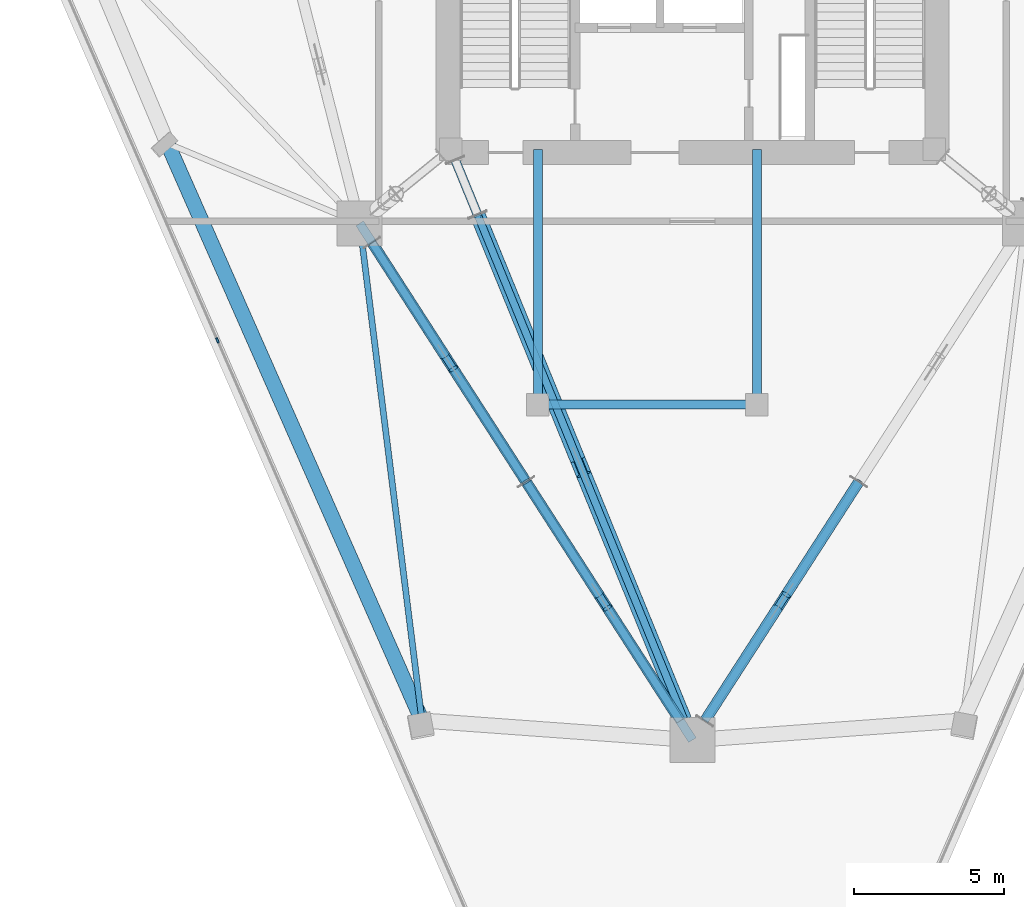
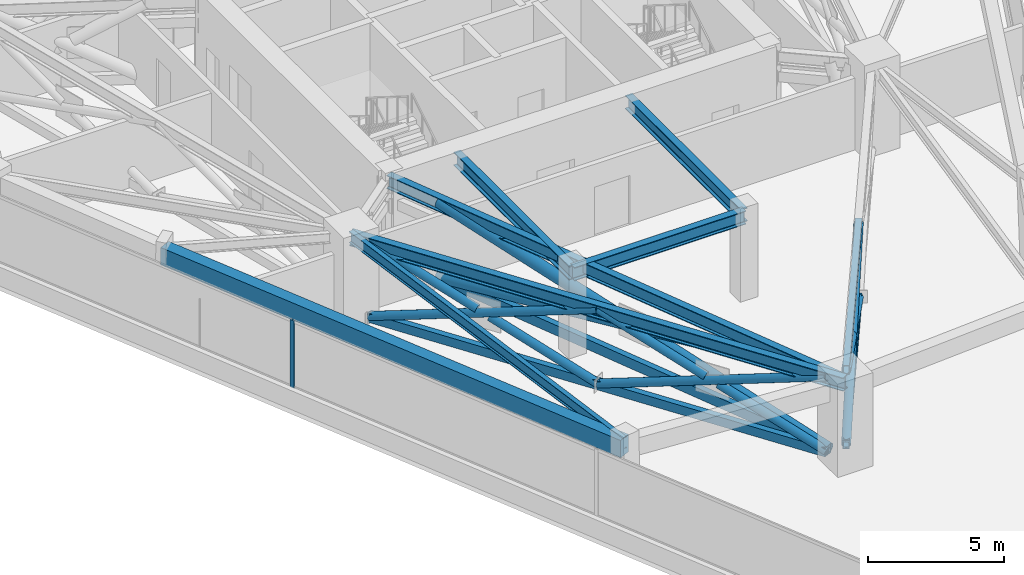
# One storey, part 3 of 13: 21 members, 7 beams, 1 element without a shape of its own.
"""IFC4 building model written with IfcOpenShell, lengths in metres."""

import ifcopenshell
import ifcopenshell.guid

model = None  # the IFC model being written
_history = None  # IfcOwnerHistory: only IFC2X3 demands one
_inside = {}  # id of a spatial element -> (the spatial element, [elements in it])
_under = {}  # id of a project, library or spatial element -> (it, [spatial elements below it])
_declared = {}  # id of a project -> (the project, [libraries it declares])
_typed = {}  # id of a type object -> (the type object, [elements of that type])
_made_of = {}  # id of a material, layer set ... -> (it, [elements and type objects made of it])


def new_model(schema):
    """Start an empty IFC model of exactly this schema.

    Asked for "IFC4X3", IfcOpenShell would pick the latest addendum, in which some entities
    have other attributes; the version numbers below select the first issue.
    IFC2X3 requires an IfcOwnerHistory on every rooted entity: one is made here for all.
    """
    global model, _history
    if schema == "IFC4X3":
        model = ifcopenshell.file(schema_version=(4, 3, 0, 0))
    else:
        model = ifcopenshell.file(schema=schema)
    _inside.clear()
    _under.clear()
    _declared.clear()
    _typed.clear()
    _made_of.clear()
    _history = None
    if model.schema == "IFC2X3":
        org = make("IfcOrganization", Name="unknown")
        user = make(
            "IfcPersonAndOrganization",
            ThePerson=make("IfcPerson", FamilyName="unknown"),
            TheOrganization=org,
        )
        app = make(
            "IfcApplication",
            ApplicationDeveloper=org,
            Version="unknown",
            ApplicationFullName="unknown",
            ApplicationIdentifier="unknown",
        )
        _history = make(
            "IfcOwnerHistory",
            OwningUser=user,
            OwningApplication=app,
            ChangeAction="ADDED",
            CreationDate=0,
        )
    return model


def make(cls, **values):
    """One entity of the class cls with the attributes given. An attribute that is None is left unset."""
    return model.create_entity(
        cls, **{name: value for name, value in values.items() if value is not None}
    )


def rooted(cls, **values):
    """An entity with a GlobalId (a new one), such as an element, a storey or a relation."""
    return make(cls, GlobalId=ifcopenshell.guid.new(), OwnerHistory=_history, **values)


def si_unit(unit_type, name, prefix=None):
    """IfcSIUnit, for example si_unit("LENGTHUNIT", "METRE", prefix="MILLI")."""
    return make("IfcSIUnit", UnitType=unit_type, Prefix=prefix, Name=name)


def assignment(units):
    """IfcUnitAssignment: the units of a project."""
    return None if units is None else make("IfcUnitAssignment", Units=units)


def point(xyz):
    """IfcCartesianPoint."""
    return None if xyz is None else make("IfcCartesianPoint", Coordinates=xyz)


def direction(xyz):
    """IfcDirection."""
    return None if xyz is None else make("IfcDirection", DirectionRatios=xyz)


def frame(location, z_axis=None, x_axis=None):
    """IfcAxis2Placement3D, a coordinate frame: its origin and axes. An axis left out is left unset."""
    return make(
        "IfcAxis2Placement3D",
        Location=point(location),
        Axis=direction(z_axis),
        RefDirection=direction(x_axis),
    )


def frame_2d(location, x_axis=None):
    """IfcAxis2Placement2D, a coordinate frame in the plane: its origin and x axis."""
    return make(
        "IfcAxis2Placement2D", Location=point(location), RefDirection=direction(x_axis)
    )


def origin():
    """The frame at (0, 0, 0) with its axes left unset."""
    return frame((0.0, 0.0, 0.0))


def origin_2d():
    """The frame at (0, 0) in the plane with its x axis left unset."""
    return frame_2d((0.0, 0.0))


def place(relative_to, where):
    """IfcLocalPlacement: puts the frame where relative to a parent placement (None: the world)."""
    return make(
        "IfcLocalPlacement", PlacementRelTo=relative_to, RelativePlacement=where
    )


def context(
    kind, dimensions, precision=None, world=None, true_north=None, identifier=None
):
    """IfcGeometricRepresentationContext, for example the 3D "Model" context."""
    return make(
        "IfcGeometricRepresentationContext",
        ContextIdentifier=identifier,
        ContextType=kind,
        CoordinateSpaceDimension=dimensions,
        Precision=precision,
        WorldCoordinateSystem=world,
        TrueNorth=true_north,
    )


def subcontext(parent, identifier, kind, view, scale=None):
    """IfcGeometricRepresentationSubContext, for example "Body" below "Model"."""
    return make(
        "IfcGeometricRepresentationSubContext",
        ContextIdentifier=identifier,
        ContextType=kind,
        ParentContext=parent,
        TargetScale=scale,
        TargetView=view,
    )


def project(units=None, contexts=None):
    """IfcProject with its units and contexts."""
    return rooted(
        "IfcProject",
        Name="project",
        RepresentationContexts=contexts,
        UnitsInContext=assignment(units),
    )


def spatial(cls, under=None, at=None, **own):
    """A site, building, storey or space (cls), placed at a placement, below another one or the project."""
    s = rooted(cls, ObjectPlacement=at, **own)
    if under is not None:
        _under.setdefault(under.id(), (under, []))[1].append(s)
    return s


def profile(cls, at=None, kind="AREA", **sizes):
    """A parametric profile (cls). Its sizes go by their IFC names, for example OverallWidth=200.0."""
    return make(cls, ProfileType=kind, Position=at, **sizes)


def rectangle(**sizes):
    """IfcRectangleProfileDef."""
    return profile("IfcRectangleProfileDef", **sizes)


def hollow_rectangle(**sizes):
    """IfcRectangleHollowProfileDef."""
    return profile("IfcRectangleHollowProfileDef", **sizes)


def hollow_circle(**sizes):
    """IfcCircleHollowProfileDef."""
    return profile("IfcCircleHollowProfileDef", **sizes)


def i_section(**sizes):
    """IfcIShapeProfileDef."""
    return profile("IfcIShapeProfileDef", **sizes)


def extrude(swept, where, along, depth):
    """IfcExtrudedAreaSolid: the profile swept, set in the frame where, extruded along a direction by depth."""
    return make(
        "IfcExtrudedAreaSolid",
        SweptArea=swept,
        Position=where,
        ExtrudedDirection=direction(along),
        Depth=depth,
    )


def shape(context_of_items, identifier, shape_type, items):
    """IfcShapeRepresentation: the items that make up one representation, for example the "Body"."""
    return make(
        "IfcShapeRepresentation",
        ContextOfItems=context_of_items,
        RepresentationIdentifier=identifier,
        RepresentationType=shape_type,
        Items=items,
    )


def material(Name=None, Category=None):
    """IfcMaterial."""
    return make("IfcMaterial", Name=Name, Category=Category)


def layer(
    of_material, thickness, ventilated=None, Name=None, Category=None, Priority=None
):
    """IfcMaterialLayer: one layer of a wall or slab, of a material (None: an air gap)."""
    return make(
        "IfcMaterialLayer",
        Material=of_material,
        LayerThickness=thickness,
        IsVentilated=ventilated,
        Name=Name,
        Category=Category,
        Priority=Priority,
    )


def layer_set(layers, Name=None):
    """IfcMaterialLayerSet."""
    return make("IfcMaterialLayerSet", MaterialLayers=layers, LayerSetName=Name)


def material_profile(
    of_material, cross_section, Name=None, Category=None, Priority=None
):
    """IfcMaterialProfile: a cross section and its material."""
    return make(
        "IfcMaterialProfile",
        Name=Name,
        Material=of_material,
        Profile=cross_section,
        Priority=Priority,
        Category=Category,
    )


def profile_set(profiles, Name=None, composite=None):
    """IfcMaterialProfileSet."""
    return make(
        "IfcMaterialProfileSet",
        Name=Name,
        MaterialProfiles=profiles,
        CompositeProfile=composite,
    )


def made_of(thing, what):
    """Note that an element or type object is made of a material, layer set ...; save() writes the relation."""
    if what is not None:
        _made_of.setdefault(what.id(), (what, []))[1].append(thing)
    return thing


def type_object(cls, material=None, **own):
    """A type object (cls), such as IfcWallType, which elements share."""
    return made_of(rooted(cls, **own), material)


def element(
    cls,
    number,
    at=None,
    inside=None,
    cuts=None,
    type_object=None,
    material=None,
    context=None,
    identifier="Body",
    shape_type=None,
    held_by="IfcProductDefinitionShape",
    body=None,
    shapes=None,
    **own,
):
    """One element of the class cls, such as IfcWall. Its Tag is "e" and its number.

    at: its placement. inside: the storey or other place that contains it. cuts: it is an
    opening in that element (IfcRelVoidsElement). A single representation is given by context,
    identifier, shape_type and body (its items); several are given by shapes. held_by: the class
    of the entity that holds the representations. save() writes the other relations.
    """
    e = rooted(cls, Tag="e%d" % number, ObjectPlacement=at, **own)
    if body is not None:
        shapes = [shape(context, identifier, shape_type, body)]
    if shapes is not None:
        e.Representation = make(held_by, Representations=shapes)
    if inside is not None:
        _inside.setdefault(inside.id(), (inside, []))[1].append(e)
    if cuts is not None:
        rooted(
            "IfcRelVoidsElement", RelatingBuildingElement=cuts, RelatedOpeningElement=e
        )
    if type_object is not None:
        _typed.setdefault(type_object.id(), (type_object, []))[1].append(e)
    return made_of(e, material)


def aggregate(whole, parts):
    """IfcRelAggregates: a whole, such as a stair, and the parts it consists of."""
    return rooted("IfcRelAggregates", RelatingObject=whole, RelatedObjects=parts)


def save(model, path):
    """Write the relations noted so far, then the file.

    IfcRelAggregates (storeys below a building ...), IfcRelContainedInSpatialStructure (elements
    in a storey), IfcRelDefinesByType, IfcRelAssociatesMaterial and IfcRelDeclares: one each for
    every whole, place, type object, material and project.
    """
    for whole, parts in _under.values():
        aggregate(whole, parts)
    for where, things in _inside.values():
        rooted(
            "IfcRelContainedInSpatialStructure",
            RelatedElements=things,
            RelatingStructure=where,
        )
    for kind, things in _typed.values():
        rooted("IfcRelDefinesByType", RelatedObjects=things, RelatingType=kind)
    for what, things in _made_of.values():
        rooted("IfcRelAssociatesMaterial", RelatedObjects=things, RelatingMaterial=what)
    for by, libraries in _declared.values():
        rooted("IfcRelDeclares", RelatingContext=by, RelatedDefinitions=libraries)
    model.write(path)


model = new_model("IFC4")

# Units and contexts
model_context = context("Model", 3, precision=1e-05, world=origin(), true_north=direction((0.0, 1.0)))
body_context = subcontext(model_context, "Body", "Model", "MODEL_VIEW")
ifc_project = project(units=[si_unit("LENGTHUNIT", "METRE"), si_unit("AREAUNIT", "SQUARE_METRE"), si_unit("VOLUMEUNIT", "CUBIC_METRE"), si_unit("PLANEANGLEUNIT", "RADIAN"), si_unit("MASSUNIT", "GRAM", prefix="KILO")], contexts=[model_context])

# Site, building, storey
site_placement = place(None, origin())
site = spatial("IfcSite", under=ifc_project, at=site_placement, CompositionType="ELEMENT")
building_placement = place(site_placement, origin())
building = spatial("IfcBuilding", under=site, at=building_placement, Name="Talyreon Biosciences Tower", CompositionType="ELEMENT")
storey_placement = place(building_placement, frame((0.0, 0.0, 171.0)))
storey = spatial("IfcBuildingStorey", under=building, at=storey_placement, Name="L45", CompositionType="ELEMENT", Elevation=171.0)

# Members
ifc_material_1 = material(Name="Steel SM355", Category="steel")
ifc_material_profile_1 = material_profile(ifc_material_1, hollow_circle(Radius=0.177734375, WallThickness=0.01416015625, at=origin_2d()), Name="CHS 355.6x14.2")
ifc_profile_set_1 = profile_set([ifc_material_profile_1], Name="Steel SM355")
member_type_1 = type_object("IfcMemberType", Name="BeltBrace_CHS355", PredefinedType="BRACE", material=ifc_profile_set_1)
member_1_placement = place(storey_placement, frame((66.41162109375, 42.305908203125, 0.239990234375), z_axis=(0.510337238787, 0.79239574314, 0.334162967669), x_axis=(-0.840724531563, 0.541463075405, 0.0)))
element("IfcMember", 1, at=member_1_placement, inside=storey, type_object=member_type_1, Name="L45 Continuous Diagonal BELT-L45-B1S1A", PredefinedType="BRACE", context=body_context, shape_type="SweptSolid", body=[
    extrude(hollow_circle(Radius=0.177734375, WallThickness=0.01416015625, at=origin_2d()), origin(), (0.0, 0.0, 1.0), 10.05517578125),
])
member_2_placement = place(storey_placement, frame((71.543212890625, 50.273681640625, 0.239990234375), z_axis=(-0.510374247918, -0.792378517498, 0.33414729098), x_axis=(0.840701297779, -0.541499148579, 0.0)))
element("IfcMember", 2, at=member_2_placement, inside=storey, type_object=member_type_1, Name="L45 Split Diagonal BELT-L45-B1S1B-Lower", PredefinedType="BRACE", context=body_context, shape_type="SweptSolid", body=[
    extrude(hollow_circle(Radius=0.177734375, WallThickness=0.01416015625, at=origin_2d()), origin(), (0.0, 0.0, 1.0), 4.747802734375),
])
member_3_placement = place(storey_placement, frame((68.83447265625, 46.06787109375, 2.013671875), z_axis=(-0.510336218108, -0.792399313263, 0.334156060587), x_axis=(0.840726135065, -0.541460585656, 0.0)))
element("IfcMember", 3, at=member_3_placement, inside=storey, type_object=member_type_1, Name="L45 Split Diagonal BELT-L45-B1S1B-Upper", PredefinedType="BRACE", context=body_context, shape_type="SweptSolid", body=[
    extrude(hollow_circle(Radius=0.177734375, WallThickness=0.01416015625, at=origin_2d()), origin(), (0.0, 0.0, 1.0), 4.74755859375),
])
member_4_placement = place(storey_placement, frame((55.3251953125, 58.241455078125, 0.239990234375), z_axis=(0.510337238787, -0.79239574314, 0.334162967669), x_axis=(0.840724531563, 0.541463075405, 0.0)))
element("IfcMember", 4, at=member_4_placement, inside=storey, type_object=member_type_1, Name="L45 Continuous Diagonal BELT-L45-B6S1A", PredefinedType="BRACE", context=body_context, shape_type="SweptSolid", body=[
    extrude(hollow_circle(Radius=0.177734375, WallThickness=0.01416015625, at=origin_2d()), origin(), (0.0, 0.0, 1.0), 10.05517578125),
])
member_5_placement = place(storey_placement, frame((60.456787109375, 50.273681640625, 0.239990234375), z_axis=(-0.510336218108, 0.792399313263, 0.334156060587), x_axis=(-0.840726135065, -0.541460585656, 0.0)))
element("IfcMember", 5, at=member_5_placement, inside=storey, type_object=member_type_1, Name="L45 Split Diagonal BELT-L45-B6S1B-Lower", PredefinedType="BRACE", context=body_context, shape_type="SweptSolid", body=[
    extrude(hollow_circle(Radius=0.177734375, WallThickness=0.01416015625, at=origin_2d()), origin(), (0.0, 0.0, 1.0), 4.74755859375),
])
member_6_placement = place(storey_placement, frame((57.748291015625, 54.4794921875, 2.013671875), z_axis=(-0.510374247918, 0.792378517498, 0.33414729098), x_axis=(-0.840701297779, -0.541499148579, 0.0)))
element("IfcMember", 6, at=member_6_placement, inside=storey, type_object=member_type_1, Name="L45 Split Diagonal BELT-L45-B6S1B-Upper", PredefinedType="BRACE", context=body_context, shape_type="SweptSolid", body=[
    extrude(hollow_circle(Radius=0.177734375, WallThickness=0.01416015625, at=origin_2d()), origin(), (0.0, 0.0, 1.0), 4.747802734375),
])
member_7_placement = place(storey_placement, frame((60.456787109375, 50.273681640625, 0.239990234375), z_axis=(0.510337238787, -0.79239574314, 0.334162967669), x_axis=(0.840724531563, 0.541463075405, 0.0)))
element("IfcMember", 7, at=member_7_placement, inside=storey, type_object=member_type_1, Name="L45 Continuous Diagonal BELT-L45-B6S2A", PredefinedType="BRACE", context=body_context, shape_type="SweptSolid", body=[
    extrude(hollow_circle(Radius=0.177734375, WallThickness=0.01416015625, at=origin_2d()), origin(), (0.0, 0.0, 1.0), 10.05517578125),
])
member_8_placement = place(storey_placement, frame((65.58837890625, 42.305908203125, 0.239990234375), z_axis=(-0.510336218108, 0.792399313263, 0.334156060587), x_axis=(-0.840726135065, -0.541460585656, 0.0)))
element("IfcMember", 8, at=member_8_placement, inside=storey, type_object=member_type_1, Name="L45 Split Diagonal BELT-L45-B6S2B-Lower", PredefinedType="BRACE", context=body_context, shape_type="SweptSolid", body=[
    extrude(hollow_circle(Radius=0.177734375, WallThickness=0.01416015625, at=origin_2d()), origin(), (0.0, 0.0, 1.0), 4.74755859375),
])
member_9_placement = place(storey_placement, frame((62.8798828125, 46.51171875, 2.013671875), z_axis=(-0.510374247918, 0.792378517498, 0.33414729098), x_axis=(-0.840701297779, -0.541499148579, 0.0)))
element("IfcMember", 9, at=member_9_placement, inside=storey, type_object=member_type_1, Name="L45 Split Diagonal BELT-L45-B6S2B-Upper", PredefinedType="BRACE", context=body_context, shape_type="SweptSolid", body=[
    extrude(hollow_circle(Radius=0.177734375, WallThickness=0.01416015625, at=origin_2d()), origin(), (0.0, 0.0, 1.0), 4.747802734375),
])
ifc_material_profile_2 = material_profile(ifc_material_1, hollow_rectangle(XDim=0.25, YDim=0.39990234375, WallThickness=0.01611328125, at=origin_2d()), Name="RHS 400x250x16")
ifc_profile_set_2 = profile_set([ifc_material_profile_2], Name="Steel SM355")
member_type_2 = type_object("IfcMemberType", Name="BeltChord_RHS400x250", PredefinedType="CHORD", material=ifc_profile_set_2)
for number, where, z_axis, x_axis, name in (
    (10, (66.41162109375, 42.305908203125, 0.239990234375), (0.541463075405, 0.840724531563, 0.0), (-0.840724531563, 0.541463075405, 0.0), "L45 Truss Bottom Chord BELT-L45-B1S1"),
    (11, (66.41162109375, 42.305908203125, 3.60009765625), (0.541463075405, 0.840724531563, 0.0), (-0.840724531563, 0.541463075405, 0.0), "L45 Truss Top Chord BELT-L45-B1S1"),
    (12, (55.3251953125, 58.241455078125, 0.239990234375), (0.541463075405, -0.840724531563, 0.0), (0.840724531563, 0.541463075405, 0.0), "L45 Truss Bottom Chord BELT-L45-B6S1"),
    (13, (55.3251953125, 58.241455078125, 3.60009765625), (0.541463075405, -0.840724531563, 0.0), (0.840724531563, 0.541463075405, 0.0), "L45 Truss Top Chord BELT-L45-B6S1"),
    (14, (60.456787109375, 50.273681640625, 0.239990234375), (0.541463075405, -0.840724531563, 0.0), (0.840724531563, 0.541463075405, 0.0), "L45 Truss Bottom Chord BELT-L45-B6S2"),
    (15, (60.456787109375, 50.273681640625, 3.60009765625), (0.541463075405, -0.840724531563, 0.0), (0.840724531563, 0.541463075405, 0.0), "L45 Truss Top Chord BELT-L45-B6S2"),
):
    element("IfcMember", number, at=place(storey_placement, frame(where, z_axis=z_axis, x_axis=x_axis)), inside=storey, type_object=member_type_2, Name=name, PredefinedType="CHORD", context=body_context, shape_type="SweptSolid", body=[
        extrude(hollow_rectangle(XDim=0.25, YDim=0.39990234375, WallThickness=0.01611328125, at=origin_2d()), origin(), (0.0, 0.0, 1.0), 9.477294921875),
    ])

# Curtain wall, member
ifc_material_2 = material(Name="Thermally broken aluminium and low-E glazing", Category="aluminium")
ifc_layer = layer(ifc_material_2, 0.18505859375)
ifc_layer_set = layer_set([ifc_layer], Name="Thermally broken aluminium and low-E glazing")
curtain_wall_type = type_object("IfcCurtainWallType", Name="CurtainWall_Zone3Bioprocess", PredefinedType="NOTDEFINED", material=ifc_layer_set)
curtain_wall_placement = place(storey_placement, origin())
curtain_wall = element("IfcCurtainWall", 16, at=curtain_wall_placement, inside=storey, type_object=curtain_wall_type, Name="L45 Unitised Curtain Wall FCW-L45-00", PredefinedType="NOTDEFINED")
ifc_material_3 = material(Name="Anodised thermally broken aluminium", Category="aluminium")
ifc_material_profile_3 = material_profile(ifc_material_3, rectangle(XDim=0.06494140625, YDim=0.179931640625, at=origin_2d()), Name="ALUM MULLION 65x180")
ifc_profile_set_3 = profile_set([ifc_material_profile_3], Name="Anodised thermally broken aluminium")
member_type_3 = type_object("IfcMemberType", Name="CWMullion_65x180", PredefinedType="MULLION", material=ifc_profile_set_3)
member_10_placement = place(storey_placement, frame((50.175048828125, 54.984375, 0.81005859375), z_axis=(0.0, 0.0, 1.0), x_axis=(-0.916820215501, -0.399300253505, 0.0)))
member_10 = element("IfcMember", 17, at=member_10_placement, type_object=member_type_3, Name="CW4 mullion 3", PredefinedType="MULLION", context=body_context, shape_type="SweptSolid", body=[
    extrude(rectangle(XDim=0.06494140625, YDim=0.179931640625, at=origin_2d()), origin(), (0.0, 0.0, 1.0), 3.0400390625),
])
aggregate(curtain_wall, [member_10])

# Beam
ifc_material_4 = material(Name="Precast concrete C45/55", Category="concrete")
ifc_material_profile_4 = material_profile(ifc_material_4, rectangle(XDim=0.5, YDim=0.780029296875, at=origin_2d()), Name="RCB 500x780")
ifc_profile_set_4 = profile_set([ifc_material_profile_4], Name="Precast concrete C45/55")
beam_type_1 = type_object("IfcBeamType", Name="ExpressedSpandrel_500x780", PredefinedType="SPANDREL", material=ifc_profile_set_4)
beam_1_placement = place(storey_placement, frame((48.509765625, 61.543701171875, 3.4599609375), z_axis=(0.40359242946, -0.914938878222, 0.0), x_axis=(0.914938878222, 0.40359242946, 0.0)))
element("IfcBeam", 18, at=beam_1_placement, inside=storey, type_object=beam_type_1, Name="L45 Expressed Horizontal Concrete Spandrel 11", PredefinedType="SPANDREL", context=body_context, shape_type="SweptSolid", body=[
    extrude(rectangle(XDim=0.5, YDim=0.780029296875, at=origin_2d()), origin(), (0.0, 0.0, 1.0), 21.010009765625),
])

# Members
ifc_material_profile_5 = material_profile(ifc_material_1, hollow_circle(Radius=0.25390625, WallThickness=0.02001953125, at=origin_2d()), Name="CHS 508x20")
ifc_profile_set_5 = profile_set([ifc_material_profile_5], Name="Steel SM355")
member_type_4 = type_object("IfcMemberType", Name="OutriggerBrace_CHS508", PredefinedType="BRACE", material=ifc_profile_set_5)
member_11_placement = place(storey_placement, frame((58.839599609375, 59.1748046875, 0.239990234375), z_axis=(0.372229499234, -0.910124992427, 0.181982686155), x_axis=(0.925580582323, 0.378550638128, 0.0)))
element("IfcMember", 19, at=member_11_placement, inside=storey, type_object=member_type_4, Name="L45 Continuous Diagonal OUT-L45-R1A", PredefinedType="BRACE", context=body_context, shape_type="SweptSolid", body=[
    extrude(hollow_circle(Radius=0.25390625, WallThickness=0.02001953125, at=origin_2d()), origin(), (0.0, 0.0, 1.0), 18.4638671875),
])
for number, where, z_axis, x_axis, name in (
    (20, (65.71240234375, 42.370361328125, 0.239990234375), (-0.372237601938, 0.910126254807, 0.181959797797), (-0.925577879053, -0.378557247728, 0.0), "L45 Split Diagonal OUT-L45-R1B-Lower"),
    (21, (62.171630859375, 51.02734375, 1.970947265625), (-0.372212261029, 0.910130977072, 0.181988014204), (-0.925587596814, -0.378533486795, 0.0), "L45 Split Diagonal OUT-L45-R1B-Upper"),
):
    element("IfcMember", number, at=place(storey_placement, frame(where, z_axis=z_axis, x_axis=x_axis)), inside=storey, type_object=member_type_4, Name=name, PredefinedType="BRACE", context=body_context, shape_type="SweptSolid", body=[
        extrude(hollow_circle(Radius=0.25390625, WallThickness=0.02001953125, at=origin_2d()), origin(), (0.0, 0.0, 1.0), 8.951904296875),
    ])
ifc_material_profile_6 = material_profile(ifc_material_1, hollow_rectangle(XDim=0.25, YDim=0.449951171875, WallThickness=0.01611328125, at=origin_2d()), Name="RHS 450x250x16")
ifc_profile_set_6 = profile_set([ifc_material_profile_6], Name="Steel SM355")
member_type_5 = type_object("IfcMemberType", Name="OutriggerChord_RHS450x250", PredefinedType="CHORD", material=ifc_profile_set_6)
for number, where, z_axis, x_axis, name in (
    (22, (58.839599609375, 59.1748046875, 0.239990234375), (0.378550638128, -0.925580582323, 0.0), (0.925580582323, 0.378550638128, 0.0), "L45 Truss Bottom Chord OUT-L45-R1"),
    (23, (58.839599609375, 59.1748046875, 3.60009765625), (0.378550638128, -0.925580582323, 0.0), (0.925580582323, 0.378550638128, 0.0), "L45 Truss Top Chord OUT-L45-R1"),
):
    element("IfcMember", number, at=place(storey_placement, frame(where, z_axis=z_axis, x_axis=x_axis)), inside=storey, type_object=member_type_5, Name=name, PredefinedType="CHORD", context=body_context, shape_type="SweptSolid", body=[
        extrude(hollow_rectangle(XDim=0.25, YDim=0.449951171875, WallThickness=0.01611328125, at=origin_2d()), origin(), (0.0, 0.0, 1.0), 18.155517578125),
    ])

# Beams
ifc_material_profile_7 = material_profile(ifc_material_1, i_section(OverallWidth=0.300048828125, OverallDepth=0.60009765625, WebThickness=0.015380859375, FlangeThickness=0.030029296875, FilletRadius=0.027099609375, at=origin_2d()), Name="HE600B")
ifc_profile_set_7 = profile_set([ifc_material_profile_7], Name="Steel SM355")
beam_type_2 = type_object("IfcBeamType", Name="SteelBeam_HE600B", PredefinedType="BEAM", material=ifc_profile_set_7)
beam_2_placement = place(storey_placement, frame((54.913818359375, 58.88037109375, 3.550048828125), z_axis=(0.541463723609, -0.840724114092, 0.0), x_axis=(0.840724114092, 0.541463723609, 0.0)))
element("IfcBeam", 24, at=beam_2_placement, inside=storey, type_object=beam_type_2, Name="L45 Mega-Ring Girder 6", PredefinedType="BEAM", context=body_context, shape_type="SweptSolid", body=[
    extrude(i_section(OverallWidth=0.300048828125, OverallDepth=0.60009765625, WebThickness=0.015380859375, FlangeThickness=0.030029296875, FilletRadius=0.027099609375, at=origin_2d()), origin(), (0.0, 0.0, 1.0), 20.474365234375),
])
beam_3_placement = place(storey_placement, frame((57.949951171875, 61.35009765625, 3.550048828125), z_axis=(0.378547014545, -0.925582064314, 0.0), x_axis=(0.925582064314, 0.378547014545, 0.0)))
element("IfcBeam", 25, at=beam_3_placement, inside=storey, type_object=beam_type_2, Name="L45 Radial Primary Girder 1", PredefinedType="BEAM", context=body_context, shape_type="SweptSolid", body=[
    extrude(i_section(OverallWidth=0.300048828125, OverallDepth=0.60009765625, WebThickness=0.015380859375, FlangeThickness=0.030029296875, FilletRadius=0.027099609375, at=origin_2d()), origin(), (0.0, 0.0, 1.0), 21.265625),
])
beam_4_placement = place(storey_placement, frame((60.85009765625, 52.840087890625, 3.550048828125), z_axis=(1.0, 0.0, 0.0), x_axis=(0.0, 1.0, 0.0)))
element("IfcBeam", 26, at=beam_4_placement, inside=storey, type_object=beam_type_2, Name="L45 Crown Shaft Spine Girder S", PredefinedType="BEAM", context=body_context, shape_type="SweptSolid", body=[
    extrude(i_section(OverallWidth=0.300048828125, OverallDepth=0.60009765625, WebThickness=0.015380859375, FlangeThickness=0.030029296875, FilletRadius=0.027099609375, at=origin_2d()), origin(), (0.0, 0.0, 1.0), 7.2998046875),
])
for number, where, z_axis, x_axis, name in (
    (27, (60.85009765625, 52.840087890625, 3.550048828125), (0.0, 1.0, 0.0), (-1.0, 0.0, 0.0), "L45 Crown Shaft Tie Girder W"),
    (28, (68.14990234375, 52.840087890625, 3.550048828125), (0.0, 1.0, 0.0), (-1.0, 0.0, 0.0), "L45 Crown Shaft Tie Girder E"),
):
    element("IfcBeam", number, at=place(storey_placement, frame(where, z_axis=z_axis, x_axis=x_axis)), inside=storey, type_object=beam_type_2, Name=name, PredefinedType="BEAM", context=body_context, shape_type="SweptSolid", body=[
        extrude(i_section(OverallWidth=0.300048828125, OverallDepth=0.60009765625, WebThickness=0.015380859375, FlangeThickness=0.030029296875, FilletRadius=0.027099609375, at=origin_2d()), origin(), (0.0, 0.0, 1.0), 8.510009765625),
    ])
ifc_material_profile_8 = material_profile(ifc_material_1, i_section(OverallWidth=0.199951171875, OverallDepth=0.5, WebThickness=0.01025390625, FlangeThickness=0.01611328125, FilletRadius=0.02099609375, at=origin_2d()), Name="IPE500")
ifc_profile_set_8 = profile_set([ifc_material_profile_8], Name="Steel SM355")
beam_type_3 = type_object("IfcBeamType", Name="SteelJoist_IPE500", PredefinedType="JOIST", material=ifc_profile_set_8)
beam_5_placement = place(storey_placement, frame((54.913818359375, 58.88037109375, 3.60009765625), z_axis=(0.124358810547, -0.992237313469, 0.0), x_axis=(0.992237313469, 0.124358810547, 0.0)))
element("IfcBeam", 29, at=beam_5_placement, inside=storey, type_object=beam_type_3, Name="L45 Radial Composite Floor Joist PC-SW2", PredefinedType="JOIST", context=body_context, shape_type="SweptSolid", body=[
    extrude(i_section(OverallWidth=0.199951171875, OverallDepth=0.5, WebThickness=0.01025390625, FlangeThickness=0.01611328125, FilletRadius=0.02099609375, at=origin_2d()), origin(), (0.0, 0.0, 1.0), 16.689208984375),
])

save(model, "model.ifc")
